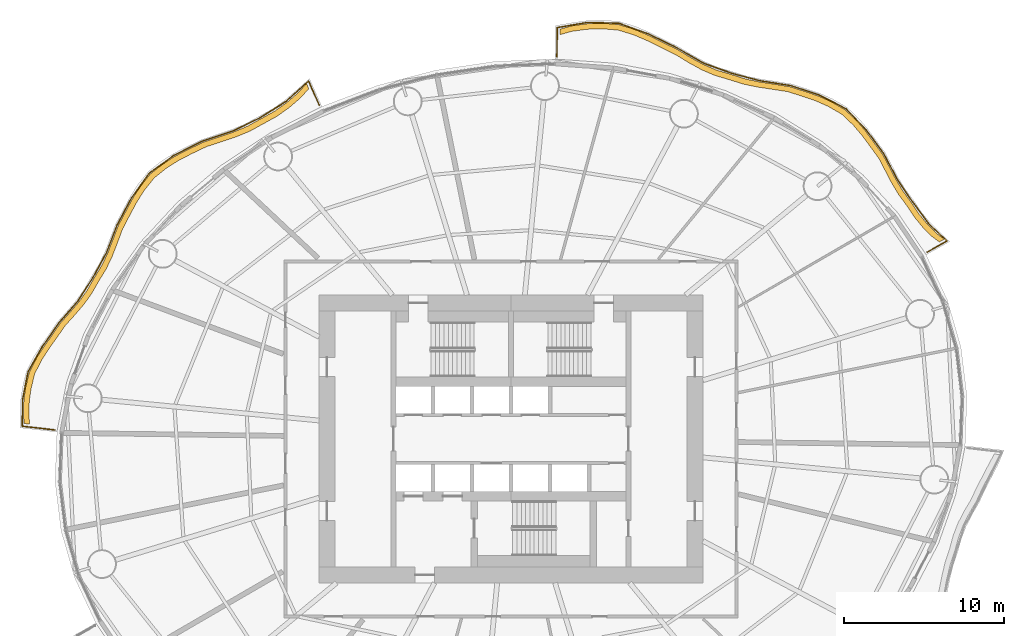
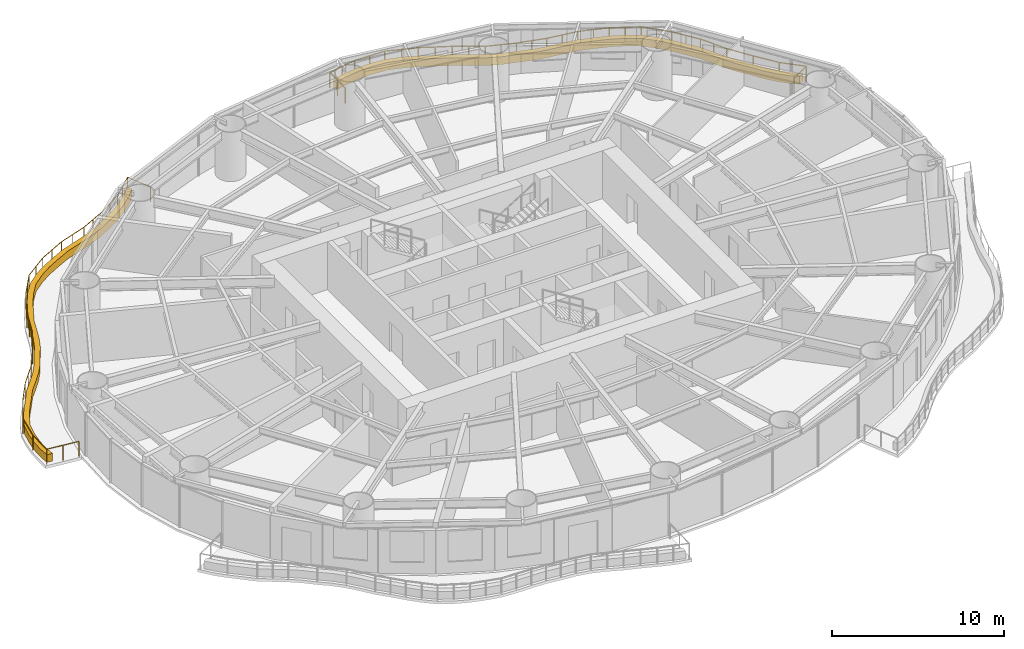
# One storey, part 16 of 16: 2 coverings, 2 railings.
"""IFC4 building model written with IfcOpenShell, lengths in metres."""

from ifc_helpers import new_model, si_unit, direction, frame, origin, origin_2d, place, context, subcontext, project, spatial, polyline, circle, outline, extrude, material, type_object, element, save


model = new_model("IFC4")

# Units and contexts
model_context = context("Model", 3, precision=1e-05, world=origin(), true_north=direction((0.0, 1.0)))
body_context = subcontext(model_context, "Body", "Model", "MODEL_VIEW")
ifc_project = project(units=[si_unit("LENGTHUNIT", "METRE"), si_unit("AREAUNIT", "SQUARE_METRE"), si_unit("VOLUMEUNIT", "CUBIC_METRE"), si_unit("PLANEANGLEUNIT", "RADIAN"), si_unit("MASSUNIT", "GRAM", prefix="KILO")], contexts=[model_context])

# Site, building, storey
site_placement = place(None, origin())
site = spatial("IfcSite", under=ifc_project, at=site_placement, CompositionType="ELEMENT")
building_placement = place(site_placement, origin())
building = spatial("IfcBuilding", under=site, at=building_placement, Name="Vermilion Reach Broadcast Tower", CompositionType="ELEMENT")
storey_placement = place(building_placement, frame((0.0, 0.0, 80.39990234375)))
storey = spatial("IfcBuildingStorey", under=building, at=storey_placement, Name="L17", CompositionType="ELEMENT", Elevation=80.39990234375)

# Coverings
ifc_material_1 = material(Name="Planting soil and greenery")
covering_type = type_object("IfcCoveringType", Name="Balcony PLANTER", PredefinedType="USERDEFINED", material=ifc_material_1)
placement = place(storey_placement, origin())
element("IfcCovering", 1, at=placement, inside=storey, type_object=covering_type, Name="PLANTER L17 group 1", ObjectType="PLANTER", PredefinedType="USERDEFINED", context=body_context, shape_type="SweptSolid", body=[
    extrude(outline(polyline([(21.086181640625, 12.4892578125), (20.580810546875, 12.8759765625), (20.017822265625, 13.447509765625), (19.51513671875, 14.059814453125), (19.03564453125, 14.78369140625), (18.503173828125, 15.496337890625), (18.07861328125, 16.199951171875), (17.69287109375, 16.939208984375), (17.2412109375, 17.7900390625), (16.658935546875, 18.582275390625), (16.153076171875, 19.267578125), (15.608154296875, 19.9052734375), (14.884033203125, 20.585693359375), (14.0078125, 21.094970703125), (13.2255859375, 21.440673828125), (12.40380859375, 21.7216796875), (11.453369140625, 22.02392578125), (10.44189453125, 22.1884765625), (9.54833984375, 22.3212890625), (8.67724609375, 22.503662109375), (7.779541015625, 22.787109375), (6.863037109375, 23.0576171875), (6.03955078125, 23.407958984375), (5.242431640625, 23.843505859375), (4.3759765625, 24.366455078125), (3.442138671875, 24.81884765625), (2.59619140625, 25.23974609375), (1.740234375, 25.60595703125), (0.733642578125, 25.91162109375), (-0.3232421875, 25.99658203125), (-1.2509765625, 25.962158203125), (-2.185302734375, 25.833251953125), (-2.92822265625, 25.62744140625), (-2.933837890625, 25.27734375), (-2.2099609375, 25.48388671875), (-1.275390625, 25.613037109375), (-0.347900390625, 25.6474609375), (0.689453125, 25.564453125), (1.676513671875, 25.26171875), (2.53271484375, 24.8955078125), (3.378662109375, 24.474609375), (4.292236328125, 24.026611328125), (5.13916015625, 23.50927734375), (5.93603515625, 23.073486328125), (6.759521484375, 22.723388671875), (7.656005859375, 22.45947265625), (8.53369140625, 22.184326171875), (9.405029296875, 22.001953125), (10.29833984375, 21.869140625), (11.289794921875, 21.714599609375), (12.220703125, 21.42333984375), (13.04248046875, 21.142333984375), (13.82470703125, 20.796630859375), (14.68115234375, 20.30029296875), (15.386474609375, 19.63427734375), (15.931396484375, 18.996826171875), (16.4375, 18.311279296875), (17.0009765625, 17.53564453125), (17.43505859375, 16.70263671875), (17.82080078125, 15.963134765625), (18.245361328125, 15.259521484375), (18.760986328125, 14.56689453125), (19.22509765625, 13.864013671875), (19.727783203125, 13.251708984375), (20.29052734375, 12.68017578125), (20.781982421875, 12.31640625), (21.086181640625, 12.4892578125)])), origin(), (0.0, 0.0, 1.0), 0.550048828125),
])
element("IfcCovering", 2, at=placement, inside=storey, type_object=covering_type, Name="PLANTER L17 group 2", ObjectType="PLANTER", PredefinedType="USERDEFINED", context=body_context, shape_type="SweptSolid", body=[
    extrude(outline(polyline([(-18.785888671875, 22.2216796875), (-19.301025390625, 21.653564453125), (-20.021728515625, 21.03564453125), (-20.781005859375, 20.492919921875), (-21.641845703125, 20.0185546875), (-22.49169921875, 19.549072265625), (-23.34521484375, 19.192626953125), (-24.23681640625, 18.8935546875), (-25.23486328125, 18.56201171875), (-26.16259765625, 18.115234375), (-26.97705078125, 17.69970703125), (-27.73974609375, 17.22314453125), (-28.552734375, 16.57373046875), (-29.19140625, 15.7763671875), (-29.663818359375, 15.029052734375), (-30.087646484375, 14.236572265625), (-30.562255859375, 13.340087890625), (-30.912841796875, 12.413330078125), (-31.2294921875, 11.5986328125), (-31.60009765625, 10.822265625), (-32.08251953125, 10.0380859375), (-32.525634765625, 9.258056640625), (-33.01220703125, 8.580810546875), (-33.5615234375, 7.936767578125), (-34.2060546875, 7.212158203125), (-34.744140625, 6.42578125), (-35.230712890625, 5.74365234375), (-35.677734375, 5.047607421875), (-36.123779296875, 4.160400390625), (-36.349853515625, 3.2177734375), (-36.4619140625, 2.43603515625), (-36.497802734375, 1.6396484375), (-36.445556640625, 0.96484375), (-36.09765625, 0.9248046875), (-36.154052734375, 1.57275390625), (-36.1181640625, 2.369384765625), (-36.00634765625, 3.151123046875), (-35.7861328125, 4.068359375), (-35.347900390625, 4.9306640625), (-34.90087890625, 5.626708984375), (-34.414306640625, 6.308837890625), (-33.885498046875, 7.072021484375), (-33.25146484375, 7.774169921875), (-32.7021484375, 8.418212890625), (-32.2158203125, 9.095458984375), (-31.7841796875, 9.85498046875), (-31.31494140625, 10.619384765625), (-30.9443359375, 11.395751953125), (-30.627685546875, 12.21044921875), (-30.290771484375, 13.119384765625), (-29.830810546875, 13.998779296875), (-29.406982421875, 14.791259765625), (-28.9345703125, 15.538818359375), (-28.310791015625, 16.32080078125), (-27.513671875, 16.955810546875), (-26.751220703125, 17.4326171875), (-25.9365234375, 17.847900390625), (-25.02490234375, 18.281982421875), (-24.04345703125, 18.601806640625), (-23.15185546875, 18.900634765625), (-22.29833984375, 19.257080078125), (-21.46533203125, 19.71630859375), (-20.621826171875, 20.181396484375), (-19.862548828125, 20.723876953125), (-19.141845703125, 21.341796875), (-18.64404296875, 21.901611328125), (-18.785888671875, 22.2216796875)])), origin(), (0.0, 0.0, 1.0), 0.550048828125),
])

# Railings
ifc_material_2 = material(Name="Stainless steel 316 balustrade", Category="steel")
railing_type = type_object("IfcRailingType", Name="Balcony guard 1100", PredefinedType="BALUSTRADE", material=ifc_material_2)
railing_1_placement = place(storey_placement, frame((20.026123046875, 11.680908203125, 0.0)))
element("IfcRailing", 3, at=railing_1_placement, inside=storey, type_object=railing_type, Name="Balcony guard L17 group 1", PredefinedType="BALUSTRADE", context=body_context, shape_type="SweptSolid", body=[
    extrude(circle(Radius=0.02490234375, at=origin_2d()), frame((0.0, 0.0, 1.0751953125), z_axis=(0.869577797694, 0.493795963691, 0.0), x_axis=(-0.493795963691, 0.869577797694, 0.0)), (0.0, 0.0, 1.0), 1.4150390625),
    extrude(circle(Radius=0.02490234375, at=origin_2d()), frame((1.23046875, 0.69873046875, 1.0751953125), z_axis=(-0.725293508221, 0.688439777274, 0.0), x_axis=(-0.688439777274, -0.725293508221, 0.0)), (0.0, 0.0, 1.0), 1.616455078125),
    extrude(circle(Radius=0.02490234375, at=origin_2d()), frame((0.05810546875, 1.8115234375, 1.0751953125), z_axis=(-0.592272811661, 0.805737498549, 0.0), x_axis=(-0.805737498549, -0.592272811661, 0.0)), (0.0, 0.0, 1.0), 1.6640625),
    extrude(circle(Radius=0.02490234375, at=origin_2d()), frame((-0.927490234375, 3.15234375, 1.0751953125), z_axis=(-0.560369678745, 0.828242611282, 0.0), x_axis=(-0.828242611282, -0.560369678745, 0.0)), (0.0, 0.0, 1.0), 1.71533203125),
    extrude(circle(Radius=0.02490234375, at=origin_2d()), frame((-1.888671875, 4.572998046875, 1.0751953125), z_axis=(-0.466661525369, 0.884435990188, 0.0), x_axis=(-0.884435990188, -0.466661525369, 0.0)), (0.0, 0.0, 1.0), 1.802734375),
    extrude(circle(Radius=0.02490234375, at=origin_2d()), frame((-2.72998046875, 6.16748046875, 1.0751953125), z_axis=(-0.593506701429, 0.804829047288, 0.0), x_axis=(-0.804829047288, -0.593506701429, 0.0)), (0.0, 0.0, 1.0), 1.84033203125),
    extrude(circle(Radius=0.02490234375, at=origin_2d()), frame((-3.822265625, 7.648681640625, 1.0751953125), z_axis=(-0.694017390518, 0.719958236052, 0.0), x_axis=(-0.719958236052, -0.694017390518, 0.0)), (0.0, 0.0, 1.0), 1.835205078125),
    extrude(circle(Radius=0.02490234375, at=origin_2d()), frame((-5.095947265625, 8.969970703125, 1.0751953125), z_axis=(-0.888692693675, 0.458503321917, 0.0), x_axis=(-0.458503321917, -0.888692693675, 0.0)), (0.0, 0.0, 1.0), 1.87109375),
    extrude(circle(Radius=0.02490234375, at=origin_2d()), frame((-6.7587890625, 9.827880859375, 1.0751953125), z_axis=(-0.949683395071, 0.313211508612, 0.0), x_axis=(-0.313211508612, -0.949683395071, 0.0)), (0.0, 0.0, 1.0), 1.870849609375),
    extrude(circle(Radius=0.02490234375, at=origin_2d()), frame((-8.535400390625, 10.413818359375, 1.0751953125), z_axis=(-0.987916113488, 0.154989524517, 0.0), x_axis=(-0.154989524517, -0.987916113488, 0.0)), (0.0, 0.0, 1.0), 1.932861328125),
    extrude(circle(Radius=0.02490234375, at=origin_2d()), frame((-10.44482421875, 10.71337890625, 1.0751953125), z_axis=(-0.966962363046, 0.254919180236, 0.0), x_axis=(-0.254919180236, -0.966962363046, 0.0)), (0.0, 0.0, 1.0), 1.833984375),
    extrude(circle(Radius=0.02490234375, at=origin_2d()), frame((-12.21826171875, 11.180908203125, 1.0751953125), z_axis=(-0.94183133421, 0.336085908513, 0.0), x_axis=(-0.336085908513, -0.94183133421, 0.0)), (0.0, 0.0, 1.0), 1.852294921875),
    extrude(circle(Radius=0.02490234375, at=origin_2d()), frame((-13.962890625, 11.803466796875, 1.0751953125), z_axis=(-0.866708883785, 0.498814304895, 0.0), x_axis=(-0.498814304895, -0.866708883785, 0.0)), (0.0, 0.0, 1.0), 1.924560546875),
    extrude(circle(Radius=0.02490234375, at=origin_2d()), frame((-15.630859375, 12.763427734375, 1.0751953125), z_axis=(-0.898058745725, 0.439875538336, 0.0), x_axis=(-0.439875538336, -0.898058745725, 0.0)), (0.0, 0.0, 1.0), 1.987060546875),
    extrude(circle(Radius=0.02490234375, at=origin_2d()), frame((-17.415283203125, 13.637451171875, 1.0751953125), z_axis=(-0.9408199614, 0.338906772183, 0.0), x_axis=(-0.338906772183, -0.9408199614, 0.0)), (0.0, 0.0, 1.0), 1.984619140625),
    extrude(circle(Radius=0.02490234375, at=origin_2d()), frame((-19.282470703125, 14.31005859375, 1.0751953125), z_axis=(-0.999671108349, 0.025645177568, 0.0), x_axis=(-0.025645177568, -0.999671108349, 0.0)), (0.0, 0.0, 1.0), 1.98974609375),
    extrude(circle(Radius=0.02490234375, at=origin_2d()), frame((-21.271484375, 14.361083984375, 1.0751953125), z_axis=(-0.985362198219, -0.170473864041, 0.0), x_axis=(0.170473864041, -0.985362198219, 0.0)), (0.0, 0.0, 1.0), 1.888916015625),
    extrude(circle(Radius=0.02490234375, at=origin_2d()), frame((-23.1328125, 14.0390625, 1.0751953125), z_axis=(-0.015405459917, -0.999881328861, 0.0), x_axis=(0.999881328861, -0.015405459917, 0.0)), (0.0, 0.0, 1.0), 1.822509765625),
    extrude(circle(Radius=0.02490234375, at=origin_2d()), origin(), (0.0, 0.0, 1.0), 1.050048828125),
    extrude(circle(Radius=0.02490234375, at=origin_2d()), frame((1.23046875, 0.69873046875, 0.0)), (0.0, 0.0, 1.0), 1.050048828125),
    extrude(circle(Radius=0.02490234375, at=origin_2d()), frame((0.05810546875, 1.8115234375, 0.0)), (0.0, 0.0, 1.0), 1.050048828125),
    extrude(circle(Radius=0.02490234375, at=origin_2d()), frame((-0.927490234375, 3.15234375, 0.0)), (0.0, 0.0, 1.0), 1.050048828125),
    extrude(circle(Radius=0.02490234375, at=origin_2d()), frame((-1.888671875, 4.572998046875, 0.0)), (0.0, 0.0, 1.0), 1.050048828125),
    extrude(circle(Radius=0.02490234375, at=origin_2d()), frame((-2.309326171875, 5.3701171875, 0.0)), (0.0, 0.0, 1.0), 1.050048828125),
    extrude(circle(Radius=0.02490234375, at=origin_2d()), frame((-2.72998046875, 6.16748046875, 0.0)), (0.0, 0.0, 1.0), 1.050048828125),
    extrude(circle(Radius=0.02490234375, at=origin_2d()), frame((-3.276123046875, 6.908203125, 0.0)), (0.0, 0.0, 1.0), 1.050048828125),
    extrude(circle(Radius=0.02490234375, at=origin_2d()), frame((-3.822265625, 7.648681640625, 0.0)), (0.0, 0.0, 1.0), 1.050048828125),
    extrude(circle(Radius=0.02490234375, at=origin_2d()), frame((-4.458984375, 8.309326171875, 0.0)), (0.0, 0.0, 1.0), 1.050048828125),
    extrude(circle(Radius=0.02490234375, at=origin_2d()), frame((-5.095947265625, 8.969970703125, 0.0)), (0.0, 0.0, 1.0), 1.050048828125),
    extrude(circle(Radius=0.02490234375, at=origin_2d()), frame((-5.92724609375, 9.39892578125, 0.0)), (0.0, 0.0, 1.0), 1.050048828125),
    extrude(circle(Radius=0.02490234375, at=origin_2d()), frame((-6.7587890625, 9.827880859375, 0.0)), (0.0, 0.0, 1.0), 1.050048828125),
    extrude(circle(Radius=0.02490234375, at=origin_2d()), frame((-7.64697265625, 10.120849609375, 0.0)), (0.0, 0.0, 1.0), 1.050048828125),
    extrude(circle(Radius=0.02490234375, at=origin_2d()), frame((-8.535400390625, 10.413818359375, 0.0)), (0.0, 0.0, 1.0), 1.050048828125),
    extrude(circle(Radius=0.02490234375, at=origin_2d()), frame((-9.490234375, 10.5634765625, 0.0)), (0.0, 0.0, 1.0), 1.050048828125),
    extrude(circle(Radius=0.02490234375, at=origin_2d()), frame((-10.44482421875, 10.71337890625, 0.0)), (0.0, 0.0, 1.0), 1.050048828125),
    extrude(circle(Radius=0.02490234375, at=origin_2d()), frame((-11.33154296875, 10.947265625, 0.0)), (0.0, 0.0, 1.0), 1.050048828125),
    extrude(circle(Radius=0.02490234375, at=origin_2d()), frame((-12.21826171875, 11.180908203125, 0.0)), (0.0, 0.0, 1.0), 1.050048828125),
    extrude(circle(Radius=0.02490234375, at=origin_2d()), frame((-13.090576171875, 11.4921875, 0.0)), (0.0, 0.0, 1.0), 1.050048828125),
    extrude(circle(Radius=0.02490234375, at=origin_2d()), frame((-13.962890625, 11.803466796875, 0.0)), (0.0, 0.0, 1.0), 1.050048828125),
    extrude(circle(Radius=0.02490234375, at=origin_2d()), frame((-14.796875, 12.283447265625, 0.0)), (0.0, 0.0, 1.0), 1.050048828125),
    extrude(circle(Radius=0.02490234375, at=origin_2d()), frame((-15.630859375, 12.763427734375, 0.0)), (0.0, 0.0, 1.0), 1.050048828125),
    extrude(circle(Radius=0.02490234375, at=origin_2d()), frame((-16.52294921875, 13.200439453125, 0.0)), (0.0, 0.0, 1.0), 1.050048828125),
    extrude(circle(Radius=0.02490234375, at=origin_2d()), frame((-17.415283203125, 13.637451171875, 0.0)), (0.0, 0.0, 1.0), 1.050048828125),
    extrude(circle(Radius=0.02490234375, at=origin_2d()), frame((-18.348876953125, 13.9736328125, 0.0)), (0.0, 0.0, 1.0), 1.050048828125),
    extrude(circle(Radius=0.02490234375, at=origin_2d()), frame((-19.282470703125, 14.31005859375, 0.0)), (0.0, 0.0, 1.0), 1.050048828125),
    extrude(circle(Radius=0.02490234375, at=origin_2d()), frame((-20.27685546875, 14.33544921875, 0.0)), (0.0, 0.0, 1.0), 1.050048828125),
    extrude(circle(Radius=0.02490234375, at=origin_2d()), frame((-21.271484375, 14.361083984375, 0.0)), (0.0, 0.0, 1.0), 1.050048828125),
    extrude(circle(Radius=0.02490234375, at=origin_2d()), frame((-22.2021484375, 14.2001953125, 0.0)), (0.0, 0.0, 1.0), 1.050048828125),
    extrude(circle(Radius=0.02490234375, at=origin_2d()), frame((-23.1328125, 14.0390625, 0.0)), (0.0, 0.0, 1.0), 1.050048828125),
    extrude(circle(Radius=0.02490234375, at=origin_2d()), frame((-23.14697265625, 13.1279296875, 0.0)), (0.0, 0.0, 1.0), 1.050048828125),
    extrude(circle(Radius=0.02490234375, at=origin_2d()), frame((-23.160888671875, 12.216796875, 0.0)), (0.0, 0.0, 1.0), 1.050048828125),
])
railing_2_placement = place(storey_placement, frame((-17.98974609375, 20.8701171875, 0.0)))
element("IfcRailing", 4, at=railing_2_placement, inside=storey, type_object=railing_type, Name="Balcony guard L17 group 2", PredefinedType="BALUSTRADE", context=body_context, shape_type="SweptSolid", body=[
    extrude(circle(Radius=0.02490234375, at=origin_2d()), frame((0.0, 0.0, 1.0751953125), z_axis=(-0.405437391867, 0.914122815204, 0.0), x_axis=(-0.914122815204, -0.405437391867, 0.0)), (0.0, 0.0, 1.0), 1.648193359375),
    extrude(circle(Radius=0.02490234375, at=origin_2d()), frame((-0.668212890625, 1.506591796875, 1.0751953125), z_axis=(-0.74075191877, -0.671778679952, 0.0), x_axis=(0.671778679952, -0.74075191877, 0.0)), (0.0, 0.0, 1.0), 1.89013671875),
    extrude(circle(Radius=0.02490234375, at=origin_2d()), frame((-2.068359375, 0.23681640625, 1.0751953125), z_axis=(-0.846995322761, -0.53160034163, 0.0), x_axis=(0.53160034163, -0.846995322761, 0.0)), (0.0, 0.0, 1.0), 1.91748046875),
    extrude(circle(Radius=0.02490234375, at=origin_2d()), frame((-3.6923828125, -0.782470703125, 1.0751953125), z_axis=(-0.899690102145, -0.4365291744, 0.0), x_axis=(0.4365291744, -0.899690102145, 0.0)), (0.0, 0.0, 1.0), 1.897705078125),
    extrude(circle(Radius=0.02490234375, at=origin_2d()), frame((-5.399658203125, -1.61083984375, 1.0751953125), z_axis=(-0.948352600137, -0.31721813601, 0.0), x_axis=(0.31721813601, -0.948352600137, 0.0)), (0.0, 0.0, 1.0), 1.996337890625),
    extrude(circle(Radius=0.02490234375, at=origin_2d()), frame((-7.29296875, -2.244140625, 1.0751953125), z_axis=(-0.896074904515, -0.443902878453, 0.0), x_axis=(0.443902878453, -0.896074904515, 0.0)), (0.0, 0.0, 1.0), 1.948486328125),
    extrude(circle(Radius=0.02490234375, at=origin_2d()), frame((-9.0390625, -3.109130859375, 1.0751953125), z_axis=(-0.813376448555, -0.581737701147, 0.0), x_axis=(0.581737701147, -0.813376448555, 0.0)), (0.0, 0.0, 1.0), 1.94140625),
    extrude(circle(Radius=0.02490234375, at=origin_2d()), frame((-10.6181640625, -4.238525390625, 1.0751953125), z_axis=(-0.584200211344, -0.811609581674, 0.0), x_axis=(0.811609581674, -0.584200211344, 0.0)), (0.0, 0.0, 1.0), 1.90771484375),
    extrude(circle(Radius=0.02490234375, at=origin_2d()), frame((-11.732666015625, -5.786865234375, 1.0751953125), z_axis=(-0.470330555365, -0.882490322151, 0.0), x_axis=(0.882490322151, -0.470330555365, 0.0)), (0.0, 0.0, 1.0), 1.91796875),
    extrude(circle(Radius=0.02490234375, at=origin_2d()), frame((-12.634765625, -7.4794921875, 1.0751953125), z_axis=(-0.358410299726, -0.933564168684, 0.0), x_axis=(0.933564168684, -0.358410299726, 0.0)), (0.0, 0.0, 1.0), 1.869873046875),
    extrude(circle(Radius=0.02490234375, at=origin_2d()), frame((-13.304931640625, -9.22509765625, 1.0751953125), z_axis=(-0.479868313607, -0.877340527729, 0.0), x_axis=(0.877340527729, -0.479868313607, 0.0)), (0.0, 0.0, 1.0), 1.78369140625),
    extrude(circle(Radius=0.02490234375, at=origin_2d()), frame((-14.160888671875, -10.7900390625, 1.0751953125), z_axis=(-0.537658688963, -0.843162578737, 0.0), x_axis=(0.843162578737, -0.537658688963, 0.0)), (0.0, 0.0, 1.0), 1.734130859375),
    extrude(circle(Radius=0.02490234375, at=origin_2d()), frame((-15.09326171875, -12.252197265625, 1.0751953125), z_axis=(-0.656785661153, -0.754077313877, 0.0), x_axis=(0.754077313877, -0.656785661153, 0.0)), (0.0, 0.0, 1.0), 1.82177734375),
    extrude(circle(Radius=0.02490234375, at=origin_2d()), frame((-16.289794921875, -13.6259765625, 1.0751953125), z_axis=(-0.571617979721, -0.820519887181, 0.0), x_axis=(0.820519887181, -0.571617979721, 0.0)), (0.0, 0.0, 1.0), 1.7958984375),
    extrude(circle(Radius=0.02490234375, at=origin_2d()), frame((-17.31640625, -15.099609375, 1.0751953125), z_axis=(-0.49063619117, -0.871364520688, 0.0), x_axis=(0.871364520688, -0.49063619117, 0.0)), (0.0, 0.0, 1.0), 1.82373046875),
    extrude(circle(Radius=0.02490234375, at=origin_2d()), frame((-18.211181640625, -16.688720703125, 1.0751953125), z_axis=(-0.19246675019, -0.981303495393, 0.0), x_axis=(0.981303495393, -0.19246675019, 0.0)), (0.0, 0.0, 1.0), 1.76318359375),
    extrude(circle(Radius=0.02490234375, at=origin_2d()), frame((-18.550537109375, -18.4189453125, 1.0751953125), z_axis=(-0.011512152203, -0.99993373298, 0.0), x_axis=(0.99993373298, -0.011512152203, 0.0)), (0.0, 0.0, 1.0), 1.654052734375),
    extrude(circle(Radius=0.02490234375, at=origin_2d()), frame((-18.569580078125, -20.072998046875, 1.0751953125), z_axis=(0.993463041978, -0.114154212468, 0.0), x_axis=(0.114154212468, 0.993463041978, 0.0)), (0.0, 0.0, 1.0), 2.051025390625),
    extrude(circle(Radius=0.02490234375, at=origin_2d()), origin(), (0.0, 0.0, 1.0), 1.050048828125),
    extrude(circle(Radius=0.02490234375, at=origin_2d()), frame((-0.668212890625, 1.506591796875, 0.0)), (0.0, 0.0, 1.0), 1.050048828125),
    extrude(circle(Radius=0.02490234375, at=origin_2d()), frame((-1.3681640625, 0.87158203125, 0.0)), (0.0, 0.0, 1.0), 1.050048828125),
    extrude(circle(Radius=0.02490234375, at=origin_2d()), frame((-2.068359375, 0.23681640625, 0.0)), (0.0, 0.0, 1.0), 1.050048828125),
    extrude(circle(Radius=0.02490234375, at=origin_2d()), frame((-2.88037109375, -0.27294921875, 0.0)), (0.0, 0.0, 1.0), 1.050048828125),
    extrude(circle(Radius=0.02490234375, at=origin_2d()), frame((-3.6923828125, -0.782470703125, 0.0)), (0.0, 0.0, 1.0), 1.050048828125),
    extrude(circle(Radius=0.02490234375, at=origin_2d()), frame((-4.5458984375, -1.19677734375, 0.0)), (0.0, 0.0, 1.0), 1.050048828125),
    extrude(circle(Radius=0.02490234375, at=origin_2d()), frame((-5.399658203125, -1.61083984375, 0.0)), (0.0, 0.0, 1.0), 1.050048828125),
    extrude(circle(Radius=0.02490234375, at=origin_2d()), frame((-6.34619140625, -1.927490234375, 0.0)), (0.0, 0.0, 1.0), 1.050048828125),
    extrude(circle(Radius=0.02490234375, at=origin_2d()), frame((-7.29296875, -2.244140625, 0.0)), (0.0, 0.0, 1.0), 1.050048828125),
    extrude(circle(Radius=0.02490234375, at=origin_2d()), frame((-8.166015625, -2.6767578125, 0.0)), (0.0, 0.0, 1.0), 1.050048828125),
    extrude(circle(Radius=0.02490234375, at=origin_2d()), frame((-9.0390625, -3.109130859375, 0.0)), (0.0, 0.0, 1.0), 1.050048828125),
    extrude(circle(Radius=0.02490234375, at=origin_2d()), frame((-9.82861328125, -3.673828125, 0.0)), (0.0, 0.0, 1.0), 1.050048828125),
    extrude(circle(Radius=0.02490234375, at=origin_2d()), frame((-10.6181640625, -4.238525390625, 0.0)), (0.0, 0.0, 1.0), 1.050048828125),
    extrude(circle(Radius=0.02490234375, at=origin_2d()), frame((-11.17529296875, -5.0126953125, 0.0)), (0.0, 0.0, 1.0), 1.050048828125),
    extrude(circle(Radius=0.02490234375, at=origin_2d()), frame((-11.732666015625, -5.786865234375, 0.0)), (0.0, 0.0, 1.0), 1.050048828125),
    extrude(circle(Radius=0.02490234375, at=origin_2d()), frame((-12.18359375, -6.63330078125, 0.0)), (0.0, 0.0, 1.0), 1.050048828125),
    extrude(circle(Radius=0.02490234375, at=origin_2d()), frame((-12.634765625, -7.4794921875, 0.0)), (0.0, 0.0, 1.0), 1.050048828125),
    extrude(circle(Radius=0.02490234375, at=origin_2d()), frame((-12.9697265625, -8.352294921875, 0.0)), (0.0, 0.0, 1.0), 1.050048828125),
    extrude(circle(Radius=0.02490234375, at=origin_2d()), frame((-13.304931640625, -9.22509765625, 0.0)), (0.0, 0.0, 1.0), 1.050048828125),
    extrude(circle(Radius=0.02490234375, at=origin_2d()), frame((-14.160888671875, -10.7900390625, 0.0)), (0.0, 0.0, 1.0), 1.050048828125),
    extrude(circle(Radius=0.02490234375, at=origin_2d()), frame((-15.09326171875, -12.252197265625, 0.0)), (0.0, 0.0, 1.0), 1.050048828125),
    extrude(circle(Radius=0.02490234375, at=origin_2d()), frame((-15.69140625, -12.93896484375, 0.0)), (0.0, 0.0, 1.0), 1.050048828125),
    extrude(circle(Radius=0.02490234375, at=origin_2d()), frame((-16.289794921875, -13.6259765625, 0.0)), (0.0, 0.0, 1.0), 1.050048828125),
    extrude(circle(Radius=0.02490234375, at=origin_2d()), frame((-17.31640625, -15.099609375, 0.0)), (0.0, 0.0, 1.0), 1.050048828125),
    extrude(circle(Radius=0.02490234375, at=origin_2d()), frame((-17.763671875, -15.89404296875, 0.0)), (0.0, 0.0, 1.0), 1.050048828125),
    extrude(circle(Radius=0.02490234375, at=origin_2d()), frame((-18.211181640625, -16.688720703125, 0.0)), (0.0, 0.0, 1.0), 1.050048828125),
    extrude(circle(Radius=0.02490234375, at=origin_2d()), frame((-18.550537109375, -18.4189453125, 0.0)), (0.0, 0.0, 1.0), 1.050048828125),
    extrude(circle(Radius=0.02490234375, at=origin_2d()), frame((-18.569580078125, -20.072998046875, 0.0)), (0.0, 0.0, 1.0), 1.050048828125),
    extrude(circle(Radius=0.02490234375, at=origin_2d()), frame((-17.55078125, -20.18994140625, 0.0)), (0.0, 0.0, 1.0), 1.050048828125),
    extrude(circle(Radius=0.02490234375, at=origin_2d()), frame((-16.531982421875, -20.30712890625, 0.0)), (0.0, 0.0, 1.0), 1.050048828125),
])

save(model, "model.ifc")
